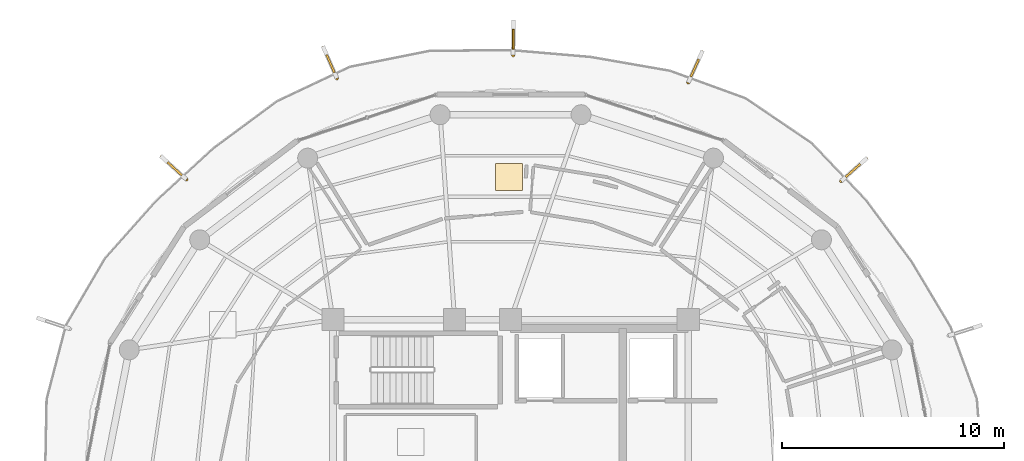
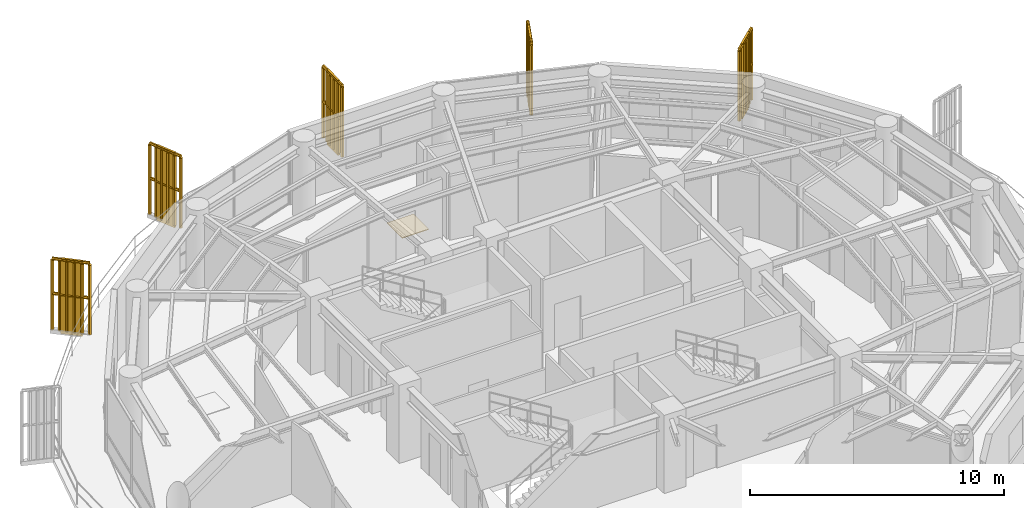
# One storey, part 22 of 22: 5 railings, 5 shading devices, 1 covering.
"""IFC4 building model written with IfcOpenShell, lengths in metres."""

from ifc_helpers import new_model, si_unit, direction, frame, origin, origin_2d, place, context, subcontext, project, spatial, polyline, rectangle, outline, extrude, source, transform, mapped, material, layer, layer_set, type_object, element, save


model = new_model("IFC4")

# Units and contexts
model_context = context("Model", 3, precision=1e-05, world=origin(), true_north=direction((0.0, 1.0)))
body_context = subcontext(model_context, "Body", "Model", "MODEL_VIEW")
ifc_project = project(units=[si_unit("LENGTHUNIT", "METRE"), si_unit("AREAUNIT", "SQUARE_METRE"), si_unit("VOLUMEUNIT", "CUBIC_METRE"), si_unit("PLANEANGLEUNIT", "RADIAN"), si_unit("MASSUNIT", "GRAM", prefix="KILO")], contexts=[model_context])

# Site, building, storey
site_placement = place(None, origin())
site = spatial("IfcSite", under=ifc_project, at=site_placement, CompositionType="ELEMENT")
building_placement = place(site_placement, origin())
building = spatial("IfcBuilding", under=site, at=building_placement, Name="Kelanora Arch Commons", CompositionType="ELEMENT")
storey_placement = place(building_placement, frame((0.0, 0.0, 259.949951171875)))
storey = spatial("IfcBuildingStorey", under=building, at=storey_placement, Name="L66", CompositionType="ELEMENT", Elevation=259.949951171875)

# Railings
ifc_material_1 = material(Name="Anodised bronze vertical shading fin rib assembly")
railing_type = type_object("IfcRailingType", Name="RAIL-FIN-BRZ", PredefinedType="BALUSTRADE", material=ifc_material_1)
railing_1_placement = place(storey_placement, frame((88.888916015625, 71.239013671875, -0.02001953125)))
element("IfcRailing", 1, at=railing_1_placement, inside=storey, type_object=railing_type, Name="Sweeping Bronze Vertical Fin Blade L66-03", PredefinedType="BALUSTRADE", context=body_context, shape_type="SweptSolid", body=[
    extrude(outline(polyline([(0.06982421875, 0.0), (0.034912109375, 0.060546875), (-0.034912109375, 0.060546875), (-0.06982421875, 0.0), (-0.034912109375, -0.060546875), (0.034912109375, -0.060546875), (0.06982421875, 0.0)])), frame((0.0, 0.0, 3.419921875), z_axis=(0.74732054672, 0.664463693854, 0.0), x_axis=(-0.664463693854, 0.74732054672, 0.0)), (0.0, 0.0, 1.0), 1.517578125),
    extrude(outline(polyline([(0.06982421875, 0.0), (0.034912109375, 0.060546875), (-0.034912109375, 0.060546875), (-0.06982421875, 0.0), (-0.034912109375, -0.060546875), (0.034912109375, -0.060546875), (0.06982421875, 0.0)])), frame((0.0, 0.0, 1.7451171875), z_axis=(0.74732054672, 0.664463693854, 0.0), x_axis=(-0.664463693854, 0.74732054672, 0.0)), (0.0, 0.0, 1.0), 1.517578125),
    extrude(outline(polyline([(0.080078125, 0.0), (0.0400390625, 0.0693359375), (-0.0400390625, 0.0693359375), (-0.080078125, 0.0), (-0.0400390625, -0.0693359375), (0.0400390625, -0.0693359375), (0.080078125, 0.0)])), origin(), (0.0, 0.0, 1.0), 3.35009765625),
    extrude(outline(polyline([(0.080078125, 0.0), (0.0400390625, 0.0693359375), (-0.0400390625, 0.0693359375), (-0.080078125, 0.0), (-0.0400390625, -0.0693359375), (0.0400390625, -0.0693359375), (0.080078125, 0.0)])), frame((0.226806640625, 0.20166015625, 0.0)), (0.0, 0.0, 1.0), 3.35009765625),
    extrude(outline(polyline([(0.080078125, 0.0), (0.0400390625, 0.0693359375), (-0.0400390625, 0.0693359375), (-0.080078125, 0.0), (-0.0400390625, -0.0693359375), (0.0400390625, -0.0693359375), (0.080078125, 0.0)])), frame((0.45361328125, 0.4033203125, 0.0)), (0.0, 0.0, 1.0), 3.35009765625),
    extrude(outline(polyline([(0.080078125, 0.0), (0.0400390625, 0.0693359375), (-0.0400390625, 0.0693359375), (-0.080078125, 0.0), (-0.0400390625, -0.0693359375), (0.0400390625, -0.0693359375), (0.080078125, 0.0)])), frame((0.680419921875, 0.60498046875, 0.0)), (0.0, 0.0, 1.0), 3.35009765625),
    extrude(outline(polyline([(0.080078125, 0.0), (0.0400390625, 0.0693359375), (-0.0400390625, 0.0693359375), (-0.080078125, 0.0), (-0.0400390625, -0.0693359375), (0.0400390625, -0.0693359375), (0.080078125, 0.0)])), frame((0.9072265625, 0.806640625, 0.0)), (0.0, 0.0, 1.0), 3.35009765625),
    extrude(outline(polyline([(0.080078125, 0.0), (0.0400390625, 0.0693359375), (-0.0400390625, 0.0693359375), (-0.080078125, 0.0), (-0.0400390625, -0.0693359375), (0.0400390625, -0.0693359375), (0.080078125, 0.0)])), frame((1.134033203125, 1.00830078125, 0.0)), (0.0, 0.0, 1.0), 3.35009765625),
])
railing_2_placement = place(storey_placement, frame((82.001708984375, 75.6748046875, -0.02001953125)))
element("IfcRailing", 2, at=railing_2_placement, inside=storey, type_object=railing_type, Name="Sweeping Bronze Vertical Fin Blade L66-04", PredefinedType="BALUSTRADE", context=body_context, shape_type="SweptSolid", body=[
    extrude(outline(polyline([(0.06982421875, 0.0), (0.034912109375, 0.060546875), (-0.034912109375, 0.060546875), (-0.06982421875, 0.0), (-0.034912109375, -0.060546875), (0.034912109375, -0.060546875), (0.06982421875, 0.0)])), frame((0.0, 0.0, 3.419921875), z_axis=(0.412323666929, 0.911037427162, 0.0), x_axis=(-0.911037427162, 0.412323666929, 0.0)), (0.0, 0.0, 1.0), 1.517578125),
    extrude(outline(polyline([(0.06982421875, 0.0), (0.034912109375, 0.060546875), (-0.034912109375, 0.060546875), (-0.06982421875, 0.0), (-0.034912109375, -0.060546875), (0.034912109375, -0.060546875), (0.06982421875, 0.0)])), frame((0.0, 0.0, 1.7451171875), z_axis=(0.412323666929, 0.911037427162, 0.0), x_axis=(-0.911037427162, 0.412323666929, 0.0)), (0.0, 0.0, 1.0), 1.517578125),
    extrude(outline(polyline([(0.080078125, 0.0), (0.0400390625, 0.0693359375), (-0.0400390625, 0.0693359375), (-0.080078125, 0.0), (-0.0400390625, -0.0693359375), (0.0400390625, -0.0693359375), (0.080078125, 0.0)])), origin(), (0.0, 0.0, 1.0), 3.35009765625),
    extrude(outline(polyline([(0.080078125, 0.0), (0.0400390625, 0.0693359375), (-0.0400390625, 0.0693359375), (-0.080078125, 0.0), (-0.0400390625, -0.0693359375), (0.0400390625, -0.0693359375), (0.080078125, 0.0)])), frame((0.125244140625, 0.276611328125, 0.0)), (0.0, 0.0, 1.0), 3.35009765625),
    extrude(outline(polyline([(0.080078125, 0.0), (0.0400390625, 0.0693359375), (-0.0400390625, 0.0693359375), (-0.080078125, 0.0), (-0.0400390625, -0.0693359375), (0.0400390625, -0.0693359375), (0.080078125, 0.0)])), frame((0.250244140625, 0.552978515625, 0.0)), (0.0, 0.0, 1.0), 3.35009765625),
    extrude(outline(polyline([(0.080078125, 0.0), (0.0400390625, 0.0693359375), (-0.0400390625, 0.0693359375), (-0.080078125, 0.0), (-0.0400390625, -0.0693359375), (0.0400390625, -0.0693359375), (0.080078125, 0.0)])), frame((0.37548828125, 0.82958984375, 0.0)), (0.0, 0.0, 1.0), 3.35009765625),
    extrude(outline(polyline([(0.080078125, 0.0), (0.0400390625, 0.0693359375), (-0.0400390625, 0.0693359375), (-0.080078125, 0.0), (-0.0400390625, -0.0693359375), (0.0400390625, -0.0693359375), (0.080078125, 0.0)])), frame((0.50048828125, 1.10595703125, 0.0)), (0.0, 0.0, 1.0), 3.35009765625),
    extrude(outline(polyline([(0.080078125, 0.0), (0.0400390625, 0.0693359375), (-0.0400390625, 0.0693359375), (-0.080078125, 0.0), (-0.0400390625, -0.0693359375), (0.0400390625, -0.0693359375), (0.080078125, 0.0)])), frame((0.625732421875, 1.382568359375, 0.0)), (0.0, 0.0, 1.0), 3.35009765625),
])
railing_3_placement = place(storey_placement, frame((74.117919921875, 76.90869140625, -0.02001953125)))
element("IfcRailing", 3, at=railing_3_placement, inside=storey, type_object=railing_type, Name="Sweeping Bronze Vertical Fin Blade L66-05", PredefinedType="BALUSTRADE", context=body_context, shape_type="SweptSolid", body=[
    extrude(outline(polyline([(0.06982421875, 0.0), (0.034912109375, 0.060546875), (-0.034912109375, 0.060546875), (-0.06982421875, 0.0), (-0.034912109375, -0.060546875), (0.034912109375, -0.060546875), (0.06982421875, 0.0)])), frame((0.0, 0.0, 3.419921875), z_axis=(0.006114125459, 0.99998130856, 0.0), x_axis=(-0.99998130856, 0.006114125459, 0.0)), (0.0, 0.0, 1.0), 1.517333984375),
    extrude(outline(polyline([(0.06982421875, 0.0), (0.034912109375, 0.060546875), (-0.034912109375, 0.060546875), (-0.06982421875, 0.0), (-0.034912109375, -0.060546875), (0.034912109375, -0.060546875), (0.06982421875, 0.0)])), frame((0.0, 0.0, 1.7451171875), z_axis=(0.006114125459, 0.99998130856, 0.0), x_axis=(-0.99998130856, 0.006114125459, 0.0)), (0.0, 0.0, 1.0), 1.517333984375),
    extrude(outline(polyline([(0.080078125, 0.0), (0.0400390625, 0.0693359375), (-0.0400390625, 0.0693359375), (-0.080078125, 0.0), (-0.0400390625, -0.0693359375), (0.0400390625, -0.0693359375), (0.080078125, 0.0)])), origin(), (0.0, 0.0, 1.0), 3.35009765625),
    extrude(outline(polyline([(0.080078125, 0.0), (0.0400390625, 0.0693359375), (-0.0400390625, 0.0693359375), (-0.080078125, 0.0), (-0.0400390625, -0.0693359375), (0.0400390625, -0.0693359375), (0.080078125, 0.0)])), frame((0.001953125, 0.303466796875, 0.0)), (0.0, 0.0, 1.0), 3.35009765625),
    extrude(outline(polyline([(0.080078125, 0.0), (0.0400390625, 0.0693359375), (-0.0400390625, 0.0693359375), (-0.080078125, 0.0), (-0.0400390625, -0.0693359375), (0.0400390625, -0.0693359375), (0.080078125, 0.0)])), frame((0.003662109375, 0.60693359375, 0.0)), (0.0, 0.0, 1.0), 3.35009765625),
    extrude(outline(polyline([(0.080078125, 0.0), (0.0400390625, 0.0693359375), (-0.0400390625, 0.0693359375), (-0.080078125, 0.0), (-0.0400390625, -0.0693359375), (0.0400390625, -0.0693359375), (0.080078125, 0.0)])), frame((0.005615234375, 0.910400390625, 0.0)), (0.0, 0.0, 1.0), 3.35009765625),
    extrude(outline(polyline([(0.080078125, 0.0), (0.0400390625, 0.0693359375), (-0.0400390625, 0.0693359375), (-0.080078125, 0.0), (-0.0400390625, -0.0693359375), (0.0400390625, -0.0693359375), (0.080078125, 0.0)])), frame((0.00732421875, 1.2138671875, 0.0)), (0.0, 0.0, 1.0), 3.35009765625),
    extrude(outline(polyline([(0.080078125, 0.0), (0.0400390625, 0.0693359375), (-0.0400390625, 0.0693359375), (-0.080078125, 0.0), (-0.0400390625, -0.0693359375), (0.0400390625, -0.0693359375), (0.080078125, 0.0)])), frame((0.00927734375, 1.517333984375, 0.0)), (0.0, 0.0, 1.0), 3.35009765625),
])
railing_4_placement = place(storey_placement, frame((66.177490234375, 75.868408203125, -0.02001953125)))
element("IfcRailing", 4, at=railing_4_placement, inside=storey, type_object=railing_type, Name="Sweeping Bronze Vertical Fin Blade L66-06", PredefinedType="BALUSTRADE", context=body_context, shape_type="SweptSolid", body=[
    extrude(outline(polyline([(0.06982421875, 0.0), (0.034912109375, 0.060546875), (-0.034912109375, 0.060546875), (-0.06982421875, 0.0), (-0.034912109375, -0.060546875), (0.034912109375, -0.060546875), (0.06982421875, 0.0)])), frame((0.0, 0.0, 3.419921875), z_axis=(-0.400996095006, 0.916079762788, 0.0), x_axis=(-0.916079762788, -0.400996095006, 0.0)), (0.0, 0.0, 1.0), 1.517333984375),
    extrude(outline(polyline([(0.06982421875, 0.0), (0.034912109375, 0.060546875), (-0.034912109375, 0.060546875), (-0.06982421875, 0.0), (-0.034912109375, -0.060546875), (0.034912109375, -0.060546875), (0.06982421875, 0.0)])), frame((0.0, 0.0, 1.7451171875), z_axis=(-0.400996095006, 0.916079762788, 0.0), x_axis=(-0.916079762788, -0.400996095006, 0.0)), (0.0, 0.0, 1.0), 1.517333984375),
    extrude(outline(polyline([(0.080078125, 0.0), (0.0400390625, 0.0693359375), (-0.0400390625, 0.0693359375), (-0.080078125, 0.0), (-0.0400390625, -0.0693359375), (0.0400390625, -0.0693359375), (0.080078125, 0.0)])), origin(), (0.0, 0.0, 1.0), 3.35009765625),
    extrude(outline(polyline([(0.080078125, 0.0), (0.0400390625, 0.0693359375), (-0.0400390625, 0.0693359375), (-0.080078125, 0.0), (-0.0400390625, -0.0693359375), (0.0400390625, -0.0693359375), (0.080078125, 0.0)])), frame((-0.12158203125, 0.278076171875, 0.0)), (0.0, 0.0, 1.0), 3.35009765625),
    extrude(outline(polyline([(0.080078125, 0.0), (0.0400390625, 0.0693359375), (-0.0400390625, 0.0693359375), (-0.080078125, 0.0), (-0.0400390625, -0.0693359375), (0.0400390625, -0.0693359375), (0.080078125, 0.0)])), frame((-0.243408203125, 0.555908203125, 0.0)), (0.0, 0.0, 1.0), 3.35009765625),
    extrude(outline(polyline([(0.080078125, 0.0), (0.0400390625, 0.0693359375), (-0.0400390625, 0.0693359375), (-0.080078125, 0.0), (-0.0400390625, -0.0693359375), (0.0400390625, -0.0693359375), (0.080078125, 0.0)])), frame((-0.364990234375, 0.833984375, 0.0)), (0.0, 0.0, 1.0), 3.35009765625),
    extrude(outline(polyline([(0.080078125, 0.0), (0.0400390625, 0.0693359375), (-0.0400390625, 0.0693359375), (-0.080078125, 0.0), (-0.0400390625, -0.0693359375), (0.0400390625, -0.0693359375), (0.080078125, 0.0)])), frame((-0.48681640625, 1.11181640625, 0.0)), (0.0, 0.0, 1.0), 3.35009765625),
    extrude(outline(polyline([(0.080078125, 0.0), (0.0400390625, 0.0693359375), (-0.0400390625, 0.0693359375), (-0.080078125, 0.0), (-0.0400390625, -0.0693359375), (0.0400390625, -0.0693359375), (0.080078125, 0.0)])), frame((-0.6083984375, 1.389892578125, 0.0)), (0.0, 0.0, 1.0), 3.35009765625),
])
railing_5_placement = place(storey_placement, frame((59.40185546875, 71.309814453125, -0.02001953125)))
element("IfcRailing", 5, at=railing_5_placement, inside=storey, type_object=railing_type, Name="Sweeping Bronze Vertical Fin Blade L66-07", PredefinedType="BALUSTRADE", context=body_context, shape_type="SweptSolid", body=[
    extrude(outline(polyline([(0.06982421875, 0.0), (0.034912109375, 0.060546875), (-0.034912109375, 0.060546875), (-0.06982421875, 0.0), (-0.034912109375, -0.060546875), (0.034912109375, -0.060546875), (0.06982421875, 0.0)])), frame((0.0, 0.0, 3.419921875), z_axis=(-0.738934640762, 0.67377711202, 0.0), x_axis=(-0.67377711202, -0.738934640762, 0.0)), (0.0, 0.0, 1.0), 1.517578125),
    extrude(outline(polyline([(0.06982421875, 0.0), (0.034912109375, 0.060546875), (-0.034912109375, 0.060546875), (-0.06982421875, 0.0), (-0.034912109375, -0.060546875), (0.034912109375, -0.060546875), (0.06982421875, 0.0)])), frame((0.0, 0.0, 1.7451171875), z_axis=(-0.738934640762, 0.67377711202, 0.0), x_axis=(-0.67377711202, -0.738934640762, 0.0)), (0.0, 0.0, 1.0), 1.517578125),
    extrude(outline(polyline([(0.080078125, 0.0), (0.0400390625, 0.0693359375), (-0.0400390625, 0.0693359375), (-0.080078125, 0.0), (-0.0400390625, -0.0693359375), (0.0400390625, -0.0693359375), (0.080078125, 0.0)])), origin(), (0.0, 0.0, 1.0), 3.35009765625),
    extrude(outline(polyline([(0.080078125, 0.0), (0.0400390625, 0.0693359375), (-0.0400390625, 0.0693359375), (-0.080078125, 0.0), (-0.0400390625, -0.0693359375), (0.0400390625, -0.0693359375), (0.080078125, 0.0)])), frame((-0.224365234375, 0.20458984375, 0.0)), (0.0, 0.0, 1.0), 3.35009765625),
    extrude(outline(polyline([(0.080078125, 0.0), (0.0400390625, 0.0693359375), (-0.0400390625, 0.0693359375), (-0.080078125, 0.0), (-0.0400390625, -0.0693359375), (0.0400390625, -0.0693359375), (0.080078125, 0.0)])), frame((-0.448486328125, 0.408935546875, 0.0)), (0.0, 0.0, 1.0), 3.35009765625),
    extrude(outline(polyline([(0.080078125, 0.0), (0.0400390625, 0.0693359375), (-0.0400390625, 0.0693359375), (-0.080078125, 0.0), (-0.0400390625, -0.0693359375), (0.0400390625, -0.0693359375), (0.080078125, 0.0)])), frame((-0.6728515625, 0.613525390625, 0.0)), (0.0, 0.0, 1.0), 3.35009765625),
    extrude(outline(polyline([(0.080078125, 0.0), (0.0400390625, 0.0693359375), (-0.0400390625, 0.0693359375), (-0.080078125, 0.0), (-0.0400390625, -0.0693359375), (0.0400390625, -0.0693359375), (0.080078125, 0.0)])), frame((-0.89697265625, 0.81787109375, 0.0)), (0.0, 0.0, 1.0), 3.35009765625),
    extrude(outline(polyline([(0.080078125, 0.0), (0.0400390625, 0.0693359375), (-0.0400390625, 0.0693359375), (-0.080078125, 0.0), (-0.0400390625, -0.0693359375), (0.0400390625, -0.0693359375), (0.080078125, 0.0)])), frame((-1.121337890625, 1.0224609375, 0.0)), (0.0, 0.0, 1.0), 3.35009765625),
])

# Shading devices
ifc_material_2 = material(Name="Terracotta ceramic-clad extruded aluminium fin", Category="masonry")
shading_device_type = type_object("IfcShadingDeviceType", Name="SHD-FIN-FLARE", PredefinedType="USERDEFINED", material=ifc_material_2)
shared_shape_1 = source(origin(), body_context, "Body", "SweptSolid", [
    extrude(rectangle(XDim=0.8798828125, YDim=0.090087890625, at=origin_2d()), origin(), (0.0, 0.0, 1.0), 3.610107421875),
])
for number, where, z_axis, x_axis, name in (
    (6, (89.427001953125, 71.71728515625, -0.14013671875), (0.0, 0.0, 1.0), (0.747334400366, 0.664448112368, 0.0), "Sweeping Terracotta Fin L66-03"),
    (7, (82.298583984375, 76.330810546875, -0.14013671875), (0.0, 0.0, 1.0), (0.412468552072, 0.910971840153, 0.0), "Sweeping Terracotta Fin L66-04"),
    (8, (74.122314453125, 77.62841796875, -0.14013671875), (0.0, 0.0, 1.0), (0.006283143966, 0.999980260856, 0.0), "Sweeping Terracotta Fin L66-05"),
    (9, (65.888916015625, 76.52783203125, -0.14013671875), (0.0, 0.0, 1.0), (-0.400988676813, 0.916083009922, 0.0), "Sweeping Terracotta Fin L66-06"),
    (10, (58.869873046875, 71.794921875, -0.14013671875), (0.0, 0.0, 1.0), (-0.738925912503, 0.673786684219, 0.0), "Sweeping Terracotta Fin L66-07"),
):
    element("IfcShadingDevice", number, at=place(storey_placement, frame(where, z_axis=z_axis, x_axis=x_axis)), inside=storey, type_object=shading_device_type, Name=name, ObjectType="FIN", PredefinedType="USERDEFINED", context=body_context, shape_type="MappedRepresentation", body=[
        mapped(shared_shape_1, transform((0.0, 0.0, 0.0), scale=1.0)),
    ])

# Covering
ifc_material_3 = material(Name="Polished local granite terrazzo flooring", Category="masonry")
ifc_layer = layer(ifc_material_3, 0.030029296875)
ifc_layer_set = layer_set([ifc_layer], Name="Polished local granite terrazzo flooring")
covering_type = type_object("IfcCoveringType", Name="COV-FLR-TER", PredefinedType="FLOORING", material=ifc_layer_set)
shared_shape_2 = source(origin(), body_context, "Body", "SweptSolid", [
    extrude(rectangle(XDim=1.199951171875, YDim=1.199951171875, at=origin_2d()), origin(), (0.0, 0.0, 1.0), 0.030029296875),
])
covering_placement = place(storey_placement, frame((73.931640625, 71.420654296875, 0.0), z_axis=(0.0, 0.0, 1.0), x_axis=(1.0, 0.0, 0.0)))
element("IfcCovering", 11, at=covering_placement, inside=storey, type_object=covering_type, Name="Co-Living Studio L66-02 Terrazzo Finish", PredefinedType="FLOORING", context=body_context, shape_type="MappedRepresentation", body=[
    mapped(shared_shape_2, transform((0.0, 0.0, 0.0), scale=1.0)),
])

save(model, "model.ifc")
